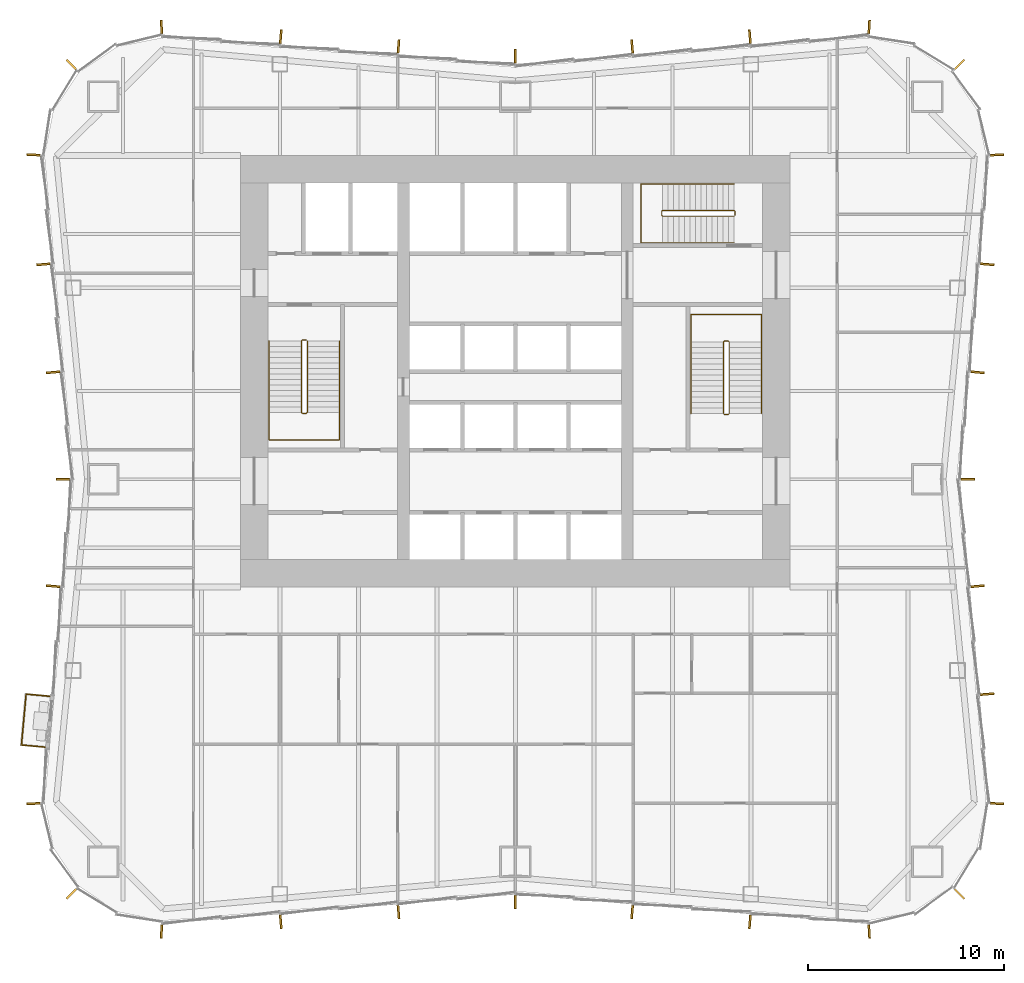
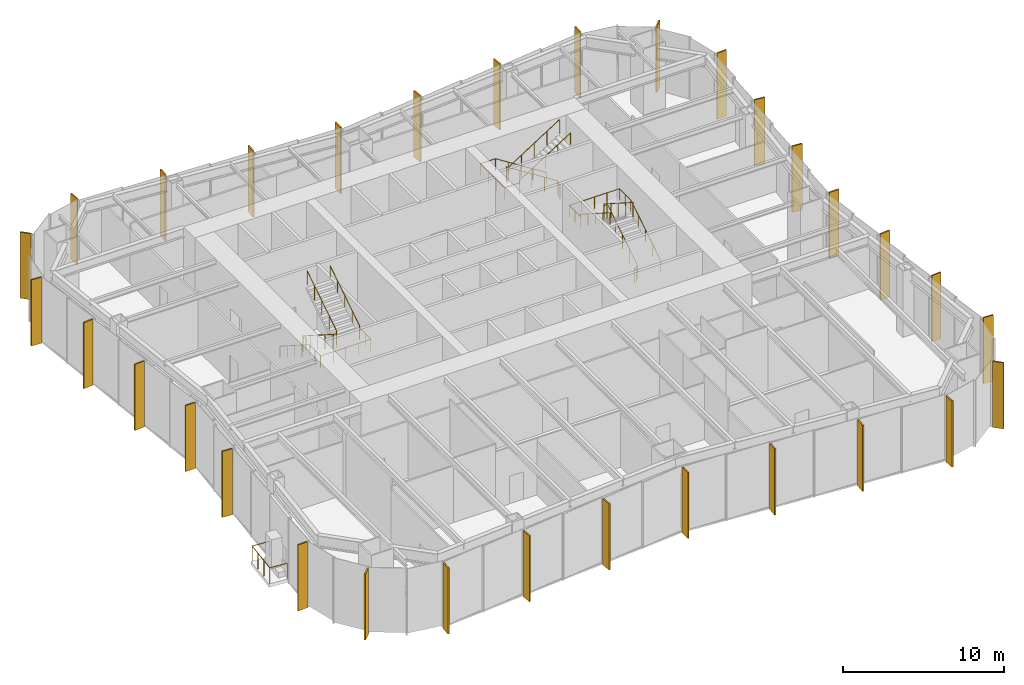
# One storey, part 13 of 14: 31 shading devices, 7 railings.
"""IFC4 building model written with IfcOpenShell, lengths in metres."""

from ifc_helpers import new_model, si_unit, direction, frame, origin, origin_2d, place, context, subcontext, project, spatial, rectangle, circle, extrude, material, layer, layer_set, type_object, element, save


model = new_model("IFC4")

# Units and contexts
model_context = context("Model", 3, precision=1e-05, world=origin(), true_north=direction((0.0, 1.0)))
body_context = subcontext(model_context, "Body", "Model", "MODEL_VIEW")
ifc_project = project(units=[si_unit("LENGTHUNIT", "METRE"), si_unit("AREAUNIT", "SQUARE_METRE"), si_unit("VOLUMEUNIT", "CUBIC_METRE"), si_unit("PLANEANGLEUNIT", "RADIAN"), si_unit("MASSUNIT", "GRAM", prefix="KILO")], contexts=[model_context])

# Site, building, storey
site_placement = place(None, origin())
site = spatial("IfcSite", under=ifc_project, at=site_placement, CompositionType="ELEMENT")
building_placement = place(site_placement, origin())
building = spatial("IfcBuilding", under=site, at=building_placement, Name="Verdant Reach Tower", CompositionType="ELEMENT")
storey_placement = place(building_placement, frame((0.0, 0.0, 9.0)))
storey = spatial("IfcBuildingStorey", under=building, at=storey_placement, Name="L01", CompositionType="ELEMENT", Elevation=9.0)

# Railings
ifc_material_1 = material(Name="Stainless steel", Category="steel")
railing_type_1 = type_object("IfcRailingType", Name="CO-GUARD", PredefinedType="GUARDRAIL", material=ifc_material_1)
railing_1_placement = place(storey_placement, frame((-10.64990234375, 29.60009765625, 0.0)))
element("IfcRailing", 1, at=railing_1_placement, inside=storey, type_object=railing_type_1, Name="L01 ST-1 stair guard 1", PredefinedType="GUARDRAIL", context=body_context, shape_type="SweptSolid", body=[
    extrude(circle(Radius=0.02392578125, at=origin_2d()), frame((0.0, 0.0, 1.076171875), z_axis=(-1.0, 0.0, 0.0), x_axis=(0.0, -1.0, 0.0)), (0.0, 0.0, 1.0), 0.2001953125),
    extrude(circle(Radius=0.02392578125, at=origin_2d()), frame((-0.2001953125, 0.0, 1.076171875), z_axis=(-0.25949872427, -0.26077077684, 0.929870428634), x_axis=(0.708833529934, -0.705375805398, 0.0)), (0.0, 0.0, 1.0), 0.19189453125),
    extrude(circle(Radius=0.02392578125, at=origin_2d()), frame((-0.25, -0.050048828125, 1.25439453125), z_axis=(0.0, -0.843127859045, 0.537713132908), x_axis=(1.0, 0.0, 0.0)), (0.0, 0.0, 1.0), 4.3173828125),
    extrude(circle(Radius=0.02392578125, at=origin_2d()), frame((-0.25, -3.690185546875, 3.576171875), z_axis=(0.707106781187, -0.707106781187, 0.0), x_axis=(0.707106781187, 0.707106781187, 0.0)), (0.0, 0.0, 1.0), 0.0703125),
    extrude(circle(Radius=0.02392578125, at=origin_2d()), frame((-0.2001953125, -3.739990234375, 3.576171875), z_axis=(1.0, 0.0, 0.0), x_axis=(0.0, 1.0, 0.0)), (0.0, 0.0, 1.0), 0.2001953125),
    extrude(circle(Radius=0.02392578125, at=origin_2d()), frame((0.0, -3.739990234375, 3.576171875), z_axis=(0.259584636361, 0.259584636361, 0.930178280294), x_axis=(-0.707106781187, 0.707106781187, 0.0)), (0.0, 0.0, 1.0), 0.19189453125),
    extrude(circle(Radius=0.02392578125, at=origin_2d()), frame((0.0498046875, -3.690185546875, 3.75439453125), z_axis=(0.0, 0.843127859045, 0.537713132908), x_axis=(-1.0, 0.0, 0.0)), (0.0, 0.0, 1.0), 4.3173828125),
    extrude(circle(Radius=0.02099609375, at=origin_2d()), origin(), (0.0, 0.0, 1.0), 1.052001953125),
    extrude(circle(Radius=0.02099609375, at=origin_2d()), frame((-0.2001953125, 0.0, 0.0)), (0.0, 0.0, 1.0), 1.052001953125),
    extrude(circle(Radius=0.02099609375, at=origin_2d()), frame((-0.25, -0.050048828125, 0.178466796875)), (0.0, 0.0, 1.0), 1.052001953125),
    extrude(circle(Radius=0.02099609375, at=origin_2d()), frame((-0.25, -0.9599609375, 0.7587890625)), (0.0, 0.0, 1.0), 1.052001953125),
    extrude(circle(Radius=0.02099609375, at=origin_2d()), frame((-0.25, -1.8701171875, 1.33935546875)), (0.0, 0.0, 1.0), 1.052001953125),
    extrude(circle(Radius=0.02099609375, at=origin_2d()), frame((-0.25, -2.7802734375, 1.919677734375)), (0.0, 0.0, 1.0), 1.052001953125),
    extrude(circle(Radius=0.02099609375, at=origin_2d()), frame((-0.25, -3.690185546875, 2.5)), (0.0, 0.0, 1.0), 1.052001953125),
    extrude(circle(Radius=0.02099609375, at=origin_2d()), frame((-0.2001953125, -3.739990234375, 2.5)), (0.0, 0.0, 1.0), 1.052001953125),
    extrude(circle(Radius=0.02099609375, at=origin_2d()), frame((0.0, -3.739990234375, 2.5)), (0.0, 0.0, 1.0), 1.052001953125),
    extrude(circle(Radius=0.02099609375, at=origin_2d()), frame((0.0498046875, -3.690185546875, 2.678466796875)), (0.0, 0.0, 1.0), 1.052001953125),
    extrude(circle(Radius=0.02099609375, at=origin_2d()), frame((0.0498046875, -2.7802734375, 3.2587890625)), (0.0, 0.0, 1.0), 1.052001953125),
    extrude(circle(Radius=0.02099609375, at=origin_2d()), frame((0.0498046875, -1.8701171875, 3.83935546875)), (0.0, 0.0, 1.0), 1.052001953125),
    extrude(circle(Radius=0.02099609375, at=origin_2d()), frame((0.0498046875, -0.9599609375, 4.419677734375)), (0.0, 0.0, 1.0), 1.052001953125),
    extrude(circle(Radius=0.02099609375, at=origin_2d()), frame((0.0498046875, -0.050048828125, 5.0)), (0.0, 0.0, 1.0), 1.052001953125),
])
railing_2_placement = place(storey_placement, frame((10.64990234375, 25.800048828125, 0.0)))
element("IfcRailing", 2, at=railing_2_placement, inside=storey, type_object=railing_type_1, Name="L01 ST-2 stair guard 1", PredefinedType="GUARDRAIL", context=body_context, shape_type="SweptSolid", body=[
    extrude(circle(Radius=0.02392578125, at=origin_2d()), frame((0.0, 0.0, 1.076171875), z_axis=(1.0, 0.0, 0.0), x_axis=(0.0, 1.0, 0.0)), (0.0, 0.0, 1.0), 0.2001953125),
    extrude(circle(Radius=0.02392578125, at=origin_2d()), frame((0.2001953125, 0.0, 1.076171875), z_axis=(0.25949872427, 0.26077077684, 0.929870428634), x_axis=(-0.708833529934, 0.705375805398, 0.0)), (0.0, 0.0, 1.0), 0.19189453125),
    extrude(circle(Radius=0.02392578125, at=origin_2d()), frame((0.25, 0.050048828125, 1.25439453125), z_axis=(0.0, 0.843111507901, 0.53773877045), x_axis=(-1.0, 0.0, 0.0)), (0.0, 0.0, 1.0), 4.317138671875),
    extrude(circle(Radius=0.02392578125, at=origin_2d()), frame((0.25, 3.68994140625, 3.576171875), z_axis=(-0.705375805398, 0.708833529934, 0.0), x_axis=(-0.708833529934, -0.705375805398, 0.0)), (0.0, 0.0, 1.0), 0.070556640625),
    extrude(circle(Radius=0.02392578125, at=origin_2d()), frame((0.2001953125, 3.739990234375, 3.576171875), z_axis=(-1.0, 0.0, 0.0), x_axis=(0.0, -1.0, 0.0)), (0.0, 0.0, 1.0), 0.2001953125),
    extrude(circle(Radius=0.02392578125, at=origin_2d()), frame((0.0, 3.739990234375, 3.576171875), z_axis=(-0.25949872427, -0.26077077684, 0.929870428634), x_axis=(0.708833529934, -0.705375805398, 0.0)), (0.0, 0.0, 1.0), 0.19189453125),
    extrude(circle(Radius=0.02392578125, at=origin_2d()), frame((-0.0498046875, 3.68994140625, 3.75439453125), z_axis=(0.0, -0.843111507901, 0.53773877045), x_axis=(1.0, 0.0, 0.0)), (0.0, 0.0, 1.0), 4.317138671875),
    extrude(circle(Radius=0.02099609375, at=origin_2d()), origin(), (0.0, 0.0, 1.0), 1.052001953125),
    extrude(circle(Radius=0.02099609375, at=origin_2d()), frame((0.2001953125, 0.0, 0.0)), (0.0, 0.0, 1.0), 1.052001953125),
    extrude(circle(Radius=0.02099609375, at=origin_2d()), frame((0.25, 0.050048828125, 0.178466796875)), (0.0, 0.0, 1.0), 1.052001953125),
    extrude(circle(Radius=0.02099609375, at=origin_2d()), frame((0.25, 0.9599609375, 0.7587890625)), (0.0, 0.0, 1.0), 1.052001953125),
    extrude(circle(Radius=0.02099609375, at=origin_2d()), frame((0.25, 1.8701171875, 1.33935546875)), (0.0, 0.0, 1.0), 1.052001953125),
    extrude(circle(Radius=0.02099609375, at=origin_2d()), frame((0.25, 2.780029296875, 1.919677734375)), (0.0, 0.0, 1.0), 1.052001953125),
    extrude(circle(Radius=0.02099609375, at=origin_2d()), frame((0.25, 3.68994140625, 2.5)), (0.0, 0.0, 1.0), 1.052001953125),
    extrude(circle(Radius=0.02099609375, at=origin_2d()), frame((0.2001953125, 3.739990234375, 2.5)), (0.0, 0.0, 1.0), 1.052001953125),
    extrude(circle(Radius=0.02099609375, at=origin_2d()), frame((0.0, 3.739990234375, 2.5)), (0.0, 0.0, 1.0), 1.052001953125),
    extrude(circle(Radius=0.02099609375, at=origin_2d()), frame((-0.0498046875, 3.68994140625, 2.678466796875)), (0.0, 0.0, 1.0), 1.052001953125),
    extrude(circle(Radius=0.02099609375, at=origin_2d()), frame((-0.0498046875, 2.780029296875, 3.2587890625)), (0.0, 0.0, 1.0), 1.052001953125),
    extrude(circle(Radius=0.02099609375, at=origin_2d()), frame((-0.0498046875, 1.8701171875, 3.83935546875)), (0.0, 0.0, 1.0), 1.052001953125),
    extrude(circle(Radius=0.02099609375, at=origin_2d()), frame((-0.0498046875, 0.9599609375, 4.419677734375)), (0.0, 0.0, 1.0), 1.052001953125),
    extrude(circle(Radius=0.02099609375, at=origin_2d()), frame((-0.0498046875, 0.050048828125, 5.0)), (0.0, 0.0, 1.0), 1.052001953125),
])
railing_3_placement = place(storey_placement, frame((11.199951171875, 35.949951171875, 0.0)))
element("IfcRailing", 3, at=railing_3_placement, inside=storey, type_object=railing_type_1, Name="L01 ST-3 stair guard 1", PredefinedType="GUARDRAIL", context=body_context, shape_type="SweptSolid", body=[
    extrude(circle(Radius=0.02392578125, at=origin_2d()), frame((0.0, 0.0, 1.076171875), z_axis=(0.0, 1.0, 0.0), x_axis=(-1.0, 0.0, 0.0)), (0.0, 0.0, 1.0), 0.199951171875),
    extrude(circle(Radius=0.02392578125, at=origin_2d()), frame((0.0, 0.199951171875, 1.076171875), z_axis=(-0.260684529273, 0.260684529273, 0.929562882432), x_axis=(-0.707106781187, -0.707106781187, 0.0)), (0.0, 0.0, 1.0), 0.19189453125),
    extrude(circle(Radius=0.02392578125, at=origin_2d()), frame((-0.050048828125, 0.25, 1.25439453125), z_axis=(-0.843111507901, 0.0, 0.53773877045), x_axis=(0.0, -1.0, 0.0)), (0.0, 0.0, 1.0), 4.317138671875),
    extrude(circle(Radius=0.02392578125, at=origin_2d()), frame((-3.68994140625, 0.25, 3.576171875), z_axis=(-0.707106781187, -0.707106781187, 0.0), x_axis=(0.707106781187, -0.707106781187, 0.0)), (0.0, 0.0, 1.0), 0.07080078125),
    extrude(circle(Radius=0.02392578125, at=origin_2d()), frame((-3.739990234375, 0.199951171875, 3.576171875), z_axis=(0.0, -1.0, 0.0), x_axis=(1.0, 0.0, 0.0)), (0.0, 0.0, 1.0), 0.199951171875),
    extrude(circle(Radius=0.02392578125, at=origin_2d()), frame((-3.739990234375, 0.0, 3.576171875), z_axis=(0.260684529273, -0.260684529273, 0.929562882432), x_axis=(0.707106781187, 0.707106781187, 0.0)), (0.0, 0.0, 1.0), 0.19189453125),
    extrude(circle(Radius=0.02392578125, at=origin_2d()), frame((-3.68994140625, -0.050048828125, 3.75439453125), z_axis=(0.843111507901, 0.0, 0.53773877045), x_axis=(0.0, 1.0, 0.0)), (0.0, 0.0, 1.0), 4.317138671875),
    extrude(circle(Radius=0.02099609375, at=origin_2d()), origin(), (0.0, 0.0, 1.0), 1.052001953125),
    extrude(circle(Radius=0.02099609375, at=origin_2d()), frame((0.0, 0.199951171875, 0.0)), (0.0, 0.0, 1.0), 1.052001953125),
    extrude(circle(Radius=0.02099609375, at=origin_2d()), frame((-0.050048828125, 0.25, 0.178466796875)), (0.0, 0.0, 1.0), 1.052001953125),
    extrude(circle(Radius=0.02099609375, at=origin_2d()), frame((-0.9599609375, 0.25, 0.7587890625)), (0.0, 0.0, 1.0), 1.052001953125),
    extrude(circle(Radius=0.02099609375, at=origin_2d()), frame((-1.8701171875, 0.25, 1.33935546875)), (0.0, 0.0, 1.0), 1.052001953125),
    extrude(circle(Radius=0.02099609375, at=origin_2d()), frame((-2.780029296875, 0.25, 1.919677734375)), (0.0, 0.0, 1.0), 1.052001953125),
    extrude(circle(Radius=0.02099609375, at=origin_2d()), frame((-3.68994140625, 0.25, 2.5)), (0.0, 0.0, 1.0), 1.052001953125),
    extrude(circle(Radius=0.02099609375, at=origin_2d()), frame((-3.739990234375, 0.199951171875, 2.5)), (0.0, 0.0, 1.0), 1.052001953125),
    extrude(circle(Radius=0.02099609375, at=origin_2d()), frame((-3.739990234375, 0.0, 2.5)), (0.0, 0.0, 1.0), 1.052001953125),
    extrude(circle(Radius=0.02099609375, at=origin_2d()), frame((-3.68994140625, -0.050048828125, 2.678466796875)), (0.0, 0.0, 1.0), 1.052001953125),
    extrude(circle(Radius=0.02099609375, at=origin_2d()), frame((-2.780029296875, -0.050048828125, 3.2587890625)), (0.0, 0.0, 1.0), 1.052001953125),
    extrude(circle(Radius=0.02099609375, at=origin_2d()), frame((-1.8701171875, -0.050048828125, 3.83935546875)), (0.0, 0.0, 1.0), 1.052001953125),
    extrude(circle(Radius=0.02099609375, at=origin_2d()), frame((-0.9599609375, -0.050048828125, 4.419677734375)), (0.0, 0.0, 1.0), 1.052001953125),
    extrude(circle(Radius=0.02099609375, at=origin_2d()), frame((-0.050048828125, -0.050048828125, 5.0)), (0.0, 0.0, 1.0), 1.052001953125),
])
railing_type_2 = type_object("IfcRailingType", Name="CO-HANDRAIL", PredefinedType="HANDRAIL", material=ifc_material_1)
railing_4_placement = place(storey_placement, frame((-12.550048828125, 29.550048828125, 0.178466796875)))
element("IfcRailing", 4, at=railing_4_placement, inside=storey, type_object=railing_type_2, Name="L01 ST-1 stair handrail 1", PredefinedType="HANDRAIL", context=body_context, shape_type="SweptSolid", body=[
    extrude(circle(Radius=0.02392578125, at=origin_2d()), frame((0.0, 0.0, 0.8759765625), z_axis=(0.0, -0.843127859045, 0.537713132908), x_axis=(1.0, 0.0, 0.0)), (0.0, 0.0, 1.0), 4.3173828125),
    extrude(circle(Radius=0.02392578125, at=origin_2d()), frame((0.0, -3.64013671875, 3.197265625), z_axis=(0.0, -1.0, 0.0), x_axis=(1.0, 0.0, 0.0)), (0.0, 0.0, 1.0), 1.39990234375),
    extrude(circle(Radius=0.02392578125, at=origin_2d()), frame((0.0, -5.0400390625, 3.197265625), z_axis=(1.0, 0.0, 0.0), x_axis=(0.0, 1.0, 0.0)), (0.0, 0.0, 1.0), 3.60009765625),
    extrude(circle(Radius=0.02392578125, at=origin_2d()), frame((3.60009765625, -5.0400390625, 3.197265625), z_axis=(0.0, 1.0, 0.0), x_axis=(-1.0, 0.0, 0.0)), (0.0, 0.0, 1.0), 1.39990234375),
    extrude(circle(Radius=0.02392578125, at=origin_2d()), frame((3.60009765625, -3.64013671875, 3.197265625), z_axis=(0.0, 0.0, 1.0), x_axis=(1.0, 0.0, 0.0)), (0.0, 0.0, 1.0), 0.178466796875),
    extrude(circle(Radius=0.02392578125, at=origin_2d()), frame((3.60009765625, -3.64013671875, 3.3759765625), z_axis=(0.0, 0.843127859045, 0.537713132908), x_axis=(-1.0, 0.0, 0.0)), (0.0, 0.0, 1.0), 4.3173828125),
    extrude(circle(Radius=0.02099609375, at=origin_2d()), origin(), (0.0, 0.0, 1.0), 0.851806640625),
    extrude(circle(Radius=0.02099609375, at=origin_2d()), frame((0.0, -0.91015625, 0.580322265625)), (0.0, 0.0, 1.0), 0.851806640625),
    extrude(circle(Radius=0.02099609375, at=origin_2d()), frame((0.0, -1.820068359375, 1.16064453125)), (0.0, 0.0, 1.0), 0.851806640625),
    extrude(circle(Radius=0.02099609375, at=origin_2d()), frame((0.0, -2.72998046875, 1.7412109375)), (0.0, 0.0, 1.0), 0.851806640625),
    extrude(circle(Radius=0.02099609375, at=origin_2d()), frame((0.0, -3.64013671875, 2.321533203125)), (0.0, 0.0, 1.0), 0.851806640625),
    extrude(circle(Radius=0.02099609375, at=origin_2d()), frame((0.0, -4.340087890625, 2.321533203125)), (0.0, 0.0, 1.0), 0.851806640625),
    extrude(circle(Radius=0.02099609375, at=origin_2d()), frame((0.0, -5.0400390625, 2.321533203125)), (0.0, 0.0, 1.0), 0.851806640625),
    extrude(circle(Radius=0.02099609375, at=origin_2d()), frame((0.89990234375, -5.0400390625, 2.321533203125)), (0.0, 0.0, 1.0), 0.851806640625),
    extrude(circle(Radius=0.02099609375, at=origin_2d()), frame((1.800048828125, -5.0400390625, 2.321533203125)), (0.0, 0.0, 1.0), 0.851806640625),
    extrude(circle(Radius=0.02099609375, at=origin_2d()), frame((2.7001953125, -5.0400390625, 2.321533203125)), (0.0, 0.0, 1.0), 0.851806640625),
    extrude(circle(Radius=0.02099609375, at=origin_2d()), frame((3.60009765625, -5.0400390625, 2.321533203125)), (0.0, 0.0, 1.0), 0.851806640625),
    extrude(circle(Radius=0.02099609375, at=origin_2d()), frame((3.60009765625, -4.340087890625, 2.321533203125)), (0.0, 0.0, 1.0), 0.851806640625),
    extrude(circle(Radius=0.02099609375, at=origin_2d()), frame((3.60009765625, -3.64013671875, 2.321533203125)), (0.0, 0.0, 1.0), 0.851806640625),
    extrude(circle(Radius=0.02099609375, at=origin_2d()), frame((3.60009765625, -3.64013671875, 2.5)), (0.0, 0.0, 1.0), 0.851806640625),
    extrude(circle(Radius=0.02099609375, at=origin_2d()), frame((3.60009765625, -2.72998046875, 3.080322265625)), (0.0, 0.0, 1.0), 0.851806640625),
    extrude(circle(Radius=0.02099609375, at=origin_2d()), frame((3.60009765625, -1.820068359375, 3.66064453125)), (0.0, 0.0, 1.0), 0.851806640625),
    extrude(circle(Radius=0.02099609375, at=origin_2d()), frame((3.60009765625, -0.91015625, 4.2412109375)), (0.0, 0.0, 1.0), 0.851806640625),
    extrude(circle(Radius=0.02099609375, at=origin_2d()), frame((3.60009765625, 0.0, 4.821533203125)), (0.0, 0.0, 1.0), 0.851806640625),
])
railing_5_placement = place(storey_placement, frame((12.550048828125, 25.85009765625, 0.178466796875)))
element("IfcRailing", 5, at=railing_5_placement, inside=storey, type_object=railing_type_2, Name="L01 ST-2 stair handrail 1", PredefinedType="HANDRAIL", context=body_context, shape_type="SweptSolid", body=[
    extrude(circle(Radius=0.02392578125, at=origin_2d()), frame((0.0, 0.0, 0.8759765625), z_axis=(0.0, 0.843111507901, 0.53773877045), x_axis=(-1.0, 0.0, 0.0)), (0.0, 0.0, 1.0), 4.317138671875),
    extrude(circle(Radius=0.02392578125, at=origin_2d()), frame((0.0, 3.639892578125, 3.197265625), z_axis=(0.0, 1.0, 0.0), x_axis=(-1.0, 0.0, 0.0)), (0.0, 0.0, 1.0), 1.39990234375),
    extrude(circle(Radius=0.02392578125, at=origin_2d()), frame((0.0, 5.039794921875, 3.197265625), z_axis=(-1.0, 0.0, 0.0), x_axis=(0.0, -1.0, 0.0)), (0.0, 0.0, 1.0), 3.60009765625),
    extrude(circle(Radius=0.02392578125, at=origin_2d()), frame((-3.60009765625, 5.039794921875, 3.197265625), z_axis=(0.0, -1.0, 0.0), x_axis=(1.0, 0.0, 0.0)), (0.0, 0.0, 1.0), 1.39990234375),
    extrude(circle(Radius=0.02392578125, at=origin_2d()), frame((-3.60009765625, 3.639892578125, 3.197265625), z_axis=(0.0, 0.0, 1.0), x_axis=(1.0, 0.0, 0.0)), (0.0, 0.0, 1.0), 0.178466796875),
    extrude(circle(Radius=0.02392578125, at=origin_2d()), frame((-3.60009765625, 3.639892578125, 3.3759765625), z_axis=(0.0, -0.843111507901, 0.53773877045), x_axis=(1.0, 0.0, 0.0)), (0.0, 0.0, 1.0), 4.317138671875),
    extrude(circle(Radius=0.02099609375, at=origin_2d()), origin(), (0.0, 0.0, 1.0), 0.851806640625),
    extrude(circle(Radius=0.02099609375, at=origin_2d()), frame((0.0, 0.909912109375, 0.580322265625)), (0.0, 0.0, 1.0), 0.851806640625),
    extrude(circle(Radius=0.02099609375, at=origin_2d()), frame((0.0, 1.81982421875, 1.16064453125)), (0.0, 0.0, 1.0), 0.851806640625),
    extrude(circle(Radius=0.02099609375, at=origin_2d()), frame((0.0, 2.72998046875, 1.7412109375)), (0.0, 0.0, 1.0), 0.851806640625),
    extrude(circle(Radius=0.02099609375, at=origin_2d()), frame((0.0, 3.639892578125, 2.321533203125)), (0.0, 0.0, 1.0), 0.851806640625),
    extrude(circle(Radius=0.02099609375, at=origin_2d()), frame((0.0, 4.33984375, 2.321533203125)), (0.0, 0.0, 1.0), 0.851806640625),
    extrude(circle(Radius=0.02099609375, at=origin_2d()), frame((0.0, 5.039794921875, 2.321533203125)), (0.0, 0.0, 1.0), 0.851806640625),
    extrude(circle(Radius=0.02099609375, at=origin_2d()), frame((-0.89990234375, 5.039794921875, 2.321533203125)), (0.0, 0.0, 1.0), 0.851806640625),
    extrude(circle(Radius=0.02099609375, at=origin_2d()), frame((-1.800048828125, 5.039794921875, 2.321533203125)), (0.0, 0.0, 1.0), 0.851806640625),
    extrude(circle(Radius=0.02099609375, at=origin_2d()), frame((-2.7001953125, 5.039794921875, 2.321533203125)), (0.0, 0.0, 1.0), 0.851806640625),
    extrude(circle(Radius=0.02099609375, at=origin_2d()), frame((-3.60009765625, 5.039794921875, 2.321533203125)), (0.0, 0.0, 1.0), 0.851806640625),
    extrude(circle(Radius=0.02099609375, at=origin_2d()), frame((-3.60009765625, 4.33984375, 2.321533203125)), (0.0, 0.0, 1.0), 0.851806640625),
    extrude(circle(Radius=0.02099609375, at=origin_2d()), frame((-3.60009765625, 3.639892578125, 2.321533203125)), (0.0, 0.0, 1.0), 0.851806640625),
    extrude(circle(Radius=0.02099609375, at=origin_2d()), frame((-3.60009765625, 3.639892578125, 2.5)), (0.0, 0.0, 1.0), 0.851806640625),
    extrude(circle(Radius=0.02099609375, at=origin_2d()), frame((-3.60009765625, 2.72998046875, 3.080322265625)), (0.0, 0.0, 1.0), 0.851806640625),
    extrude(circle(Radius=0.02099609375, at=origin_2d()), frame((-3.60009765625, 1.81982421875, 3.66064453125)), (0.0, 0.0, 1.0), 0.851806640625),
    extrude(circle(Radius=0.02099609375, at=origin_2d()), frame((-3.60009765625, 0.909912109375, 4.2412109375)), (0.0, 0.0, 1.0), 0.851806640625),
    extrude(circle(Radius=0.02099609375, at=origin_2d()), frame((-3.60009765625, 0.0, 4.821533203125)), (0.0, 0.0, 1.0), 0.851806640625),
])
railing_6_placement = place(storey_placement, frame((11.14990234375, 37.550048828125, 0.178466796875)))
element("IfcRailing", 6, at=railing_6_placement, inside=storey, type_object=railing_type_2, Name="L01 ST-3 stair handrail 1", PredefinedType="HANDRAIL", context=body_context, shape_type="SweptSolid", body=[
    extrude(circle(Radius=0.02392578125, at=origin_2d()), frame((0.0, 0.0, 0.8759765625), z_axis=(-0.843111507901, 0.0, 0.53773877045), x_axis=(0.0, -1.0, 0.0)), (0.0, 0.0, 1.0), 4.317138671875),
    extrude(circle(Radius=0.02392578125, at=origin_2d()), frame((-3.639892578125, 0.0, 3.197265625), z_axis=(-1.0, 0.0, 0.0), x_axis=(0.0, -1.0, 0.0)), (0.0, 0.0, 1.0), 1.10009765625),
    extrude(circle(Radius=0.02392578125, at=origin_2d()), frame((-4.739990234375, 0.0, 3.197265625), z_axis=(0.0, -1.0, 0.0), x_axis=(1.0, 0.0, 0.0)), (0.0, 0.0, 1.0), 3.0),
    extrude(circle(Radius=0.02392578125, at=origin_2d()), frame((-4.739990234375, -3.0, 3.197265625), z_axis=(1.0, 0.0, 0.0), x_axis=(0.0, 1.0, 0.0)), (0.0, 0.0, 1.0), 1.10009765625),
    extrude(circle(Radius=0.02392578125, at=origin_2d()), frame((-3.639892578125, -3.0, 3.197265625), z_axis=(0.0, 0.0, 1.0), x_axis=(1.0, 0.0, 0.0)), (0.0, 0.0, 1.0), 0.178466796875),
    extrude(circle(Radius=0.02392578125, at=origin_2d()), frame((-3.639892578125, -3.0, 3.3759765625), z_axis=(0.843111507901, 0.0, 0.53773877045), x_axis=(0.0, 1.0, 0.0)), (0.0, 0.0, 1.0), 4.317138671875),
    extrude(circle(Radius=0.02099609375, at=origin_2d()), origin(), (0.0, 0.0, 1.0), 0.851806640625),
    extrude(circle(Radius=0.02099609375, at=origin_2d()), frame((-0.909912109375, 0.0, 0.580322265625)), (0.0, 0.0, 1.0), 0.851806640625),
    extrude(circle(Radius=0.02099609375, at=origin_2d()), frame((-1.81982421875, 0.0, 1.16064453125)), (0.0, 0.0, 1.0), 0.851806640625),
    extrude(circle(Radius=0.02099609375, at=origin_2d()), frame((-2.72998046875, 0.0, 1.7412109375)), (0.0, 0.0, 1.0), 0.851806640625),
    extrude(circle(Radius=0.02099609375, at=origin_2d()), frame((-3.639892578125, 0.0, 2.321533203125)), (0.0, 0.0, 1.0), 0.851806640625),
    extrude(circle(Radius=0.02099609375, at=origin_2d()), frame((-4.739990234375, 0.0, 2.321533203125)), (0.0, 0.0, 1.0), 0.851806640625),
    extrude(circle(Radius=0.02099609375, at=origin_2d()), frame((-4.739990234375, -1.0, 2.321533203125)), (0.0, 0.0, 1.0), 0.851806640625),
    extrude(circle(Radius=0.02099609375, at=origin_2d()), frame((-4.739990234375, -2.0, 2.321533203125)), (0.0, 0.0, 1.0), 0.851806640625),
    extrude(circle(Radius=0.02099609375, at=origin_2d()), frame((-4.739990234375, -3.0, 2.321533203125)), (0.0, 0.0, 1.0), 0.851806640625),
    extrude(circle(Radius=0.02099609375, at=origin_2d()), frame((-3.639892578125, -3.0, 2.321533203125)), (0.0, 0.0, 1.0), 0.851806640625),
    extrude(circle(Radius=0.02099609375, at=origin_2d()), frame((-3.639892578125, -3.0, 2.5)), (0.0, 0.0, 1.0), 0.851806640625),
    extrude(circle(Radius=0.02099609375, at=origin_2d()), frame((-2.72998046875, -3.0, 3.080322265625)), (0.0, 0.0, 1.0), 0.851806640625),
    extrude(circle(Radius=0.02099609375, at=origin_2d()), frame((-1.81982421875, -3.0, 3.66064453125)), (0.0, 0.0, 1.0), 0.851806640625),
    extrude(circle(Radius=0.02099609375, at=origin_2d()), frame((-0.909912109375, -3.0, 4.2412109375)), (0.0, 0.0, 1.0), 0.851806640625),
    extrude(circle(Radius=0.02099609375, at=origin_2d()), frame((0.0, -3.0, 4.821533203125)), (0.0, 0.0, 1.0), 0.851806640625),
])

# Shading devices
ifc_material_2 = material(Name="Bronze fin, champagne", Category="aluminium")
ifc_layer_1 = layer(ifc_material_2, 0.10009765625)
ifc_layer_set_1 = layer_set([ifc_layer_1], Name="EN-FIN CHAMPAGNE")
shading_device_type_1 = type_object("IfcShadingDeviceType", Name="EN-FIN CHAMPAGNE", PredefinedType="USERDEFINED", material=ifc_layer_set_1)
for number, where, z_axis, x_axis, name in (
    (7, (24.0478515625, 11.5498046875, -0.35009765625), (0.0, 0.0, 1.0), (-0.090535746047, 0.995893206467, 0.0), "Fin east face part 1 3, L01"),
    (8, (23.5478515625, 27.9501953125, -0.35009765625), (0.0, 0.0, 1.0), (0.090535746047, 0.995893206467, 0.0), "Fin east face part 2 3, L01"),
    (9, (24.0478515625, 33.4501953125, -0.35009765625), (0.0, 0.0, 1.0), (0.090535746047, 0.995893206467, 0.0), "Fin east face part 2 5, L01"),
    (10, (22.631591796875, 43.631591796875, -0.35009765625), (0.0, 0.0, 1.0), (-0.707106781187, 0.707106781187, 0.0), "Fin north-east corner 3, L01"),
    (11, (18.031005859375, 45.549072265625, -0.35009765625), (0.0, 0.0, 1.0), (-0.998398681387, 0.056569187765, 0.0), "Fin north face part 1 1, L01"),
    (12, (-5.954345703125, 44.548095703125, -0.35009765625), (0.0, 0.0, 1.0), (-0.996545758244, 0.083045479859, 0.0), "Fin north face part 2 3, L01"),
    (13, (-18.031005859375, 45.549072265625, -0.35009765625), (0.0, 0.0, 1.0), (-0.998398681387, -0.056569187765, 0.0), "Fin north-west corner 1, L01"),
    (14, (-23.050048828125, 22.5, -0.35009765625), (0.0, 0.0, 1.0), (0.0, -1.0, 0.0), "Fin west face part 2 1, L01"),
    (15, (-5.954345703125, 0.451904296875, -0.35009765625), (0.0, 0.0, 1.0), (0.996545758244, 0.083045479859, 0.0), "Fin south face part 1 5, L01"),
    (16, (11.954345703125, -0.048095703125, -0.35009765625), (0.0, 0.0, 1.0), (0.996545758244, -0.083045479859, 0.0), "Fin south face part 2 5, L01"),
):
    element("IfcShadingDevice", number, at=place(storey_placement, frame(where, z_axis=z_axis, x_axis=x_axis)), inside=storey, type_object=shading_device_type_1, Name=name, ObjectType="FIN", PredefinedType="USERDEFINED", context=body_context, shape_type="SweptSolid", body=[
        extrude(rectangle(XDim=0.10009765625, YDim=0.699951171875, at=origin_2d()), origin(), (0.0, 0.0, 1.0), 5.0),
    ])
ifc_material_3 = material(Name="Bronze fin, copper", Category="aluminium")
ifc_layer_2 = layer(ifc_material_3, 0.10009765625)
ifc_layer_set_2 = layer_set([ifc_layer_2], Name="EN-FIN COPPER")
shading_device_type_2 = type_object("IfcShadingDeviceType", Name="EN-FIN COPPER", PredefinedType="USERDEFINED", material=ifc_layer_set_2)
for number, where, z_axis, x_axis, name in (
    (17, (23.5478515625, 17.0498046875, -0.35009765625), (0.0, 0.0, 1.0), (-0.090535746047, 0.995893206467, 0.0), "Fin east face part 1 5, L01"),
    (18, (11.954345703125, 45.048095703125, -0.35009765625), (0.0, 0.0, 1.0), (-0.996545758244, -0.083045479859, 0.0), "Fin north face part 1 3, L01"),
    (19, (-11.954345703125, 45.048095703125, -0.35009765625), (0.0, 0.0, 1.0), (-0.996545758244, 0.083045479859, 0.0), "Fin north face part 2 5, L01"),
    (20, (-22.631591796875, 43.631591796875, -0.35009765625), (0.0, 0.0, 1.0), (-0.707106781187, -0.707106781187, 0.0), "Fin north-west corner 3, L01"),
    (21, (-24.54931640625, 39.029052734375, -0.35009765625), (0.0, 0.0, 1.0), (-0.052815489107, -0.998604288049, 0.0), "Fin west face part 1 1, L01"),
    (22, (-23.5478515625, 17.0498046875, -0.35009765625), (0.0, 0.0, 1.0), (-0.090535746047, -0.995893206467, 0.0), "Fin west face part 2 3, L01"),
    (23, (-24.54931640625, 5.970947265625, -0.35009765625), (0.0, 0.0, 1.0), (0.052815489107, -0.998604288049, 0.0), "Fin south-west corner 1, L01"),
    (24, (0.0, 0.949951171875, -0.35009765625), (0.0, 0.0, 1.0), (1.0, 0.0, 0.0), "Fin south face part 2 1, L01"),
):
    element("IfcShadingDevice", number, at=place(storey_placement, frame(where, z_axis=z_axis, x_axis=x_axis)), inside=storey, type_object=shading_device_type_2, Name=name, ObjectType="FIN", PredefinedType="USERDEFINED", context=body_context, shape_type="SweptSolid", body=[
        extrude(rectangle(XDim=0.10009765625, YDim=0.699951171875, at=origin_2d()), origin(), (0.0, 0.0, 1.0), 5.0),
    ])
ifc_material_4 = material(Name="Bronze fin, dark bronze", Category="aluminium")
ifc_layer_3 = layer(ifc_material_4, 0.10009765625)
ifc_layer_set_3 = layer_set([ifc_layer_3], Name="EN-FIN DARK")
shading_device_type_3 = type_object("IfcShadingDeviceType", Name="EN-FIN DARK", PredefinedType="USERDEFINED", material=ifc_layer_set_3)
for number, where, z_axis, x_axis, name in (
    (25, (18.031005859375, -0.549072265625, -0.35009765625), (0.0, 0.0, 1.0), (0.998398681387, 0.056569187765, 0.0), "Fin south-east corner 1, L01"),
    (26, (22.631591796875, 1.368408203125, -0.35009765625), (0.0, 0.0, 1.0), (0.707106781187, 0.707106781187, 0.0), "Fin south-east corner 3, L01"),
    (27, (24.54931640625, 5.970947265625, -0.35009765625), (0.0, 0.0, 1.0), (0.052815489107, 0.998604288049, 0.0), "Fin east face part 1 1, L01"),
    (28, (23.050048828125, 22.5, -0.35009765625), (0.0, 0.0, 1.0), (0.0, 1.0, 0.0), "Fin east face part 2 1, L01"),
    (29, (24.54931640625, 39.029052734375, -0.35009765625), (0.0, 0.0, 1.0), (-0.052815489107, 0.998604288049, 0.0), "Fin north-east corner 1, L01"),
    (30, (5.954345703125, 44.548095703125, -0.35009765625), (0.0, 0.0, 1.0), (-0.996545758244, -0.083045479859, 0.0), "Fin north face part 1 5, L01"),
    (31, (0.0, 44.050048828125, -0.35009765625), (0.0, 0.0, 1.0), (-1.0, 0.0, 0.0), "Fin north face part 2 1, L01"),
    (32, (-24.0478515625, 33.4501953125, -0.35009765625), (0.0, 0.0, 1.0), (0.090535746047, -0.995893206467, 0.0), "Fin west face part 1 3, L01"),
    (33, (-23.5478515625, 27.9501953125, -0.35009765625), (0.0, 0.0, 1.0), (0.090535746047, -0.995893206467, 0.0), "Fin west face part 1 5, L01"),
    (34, (-22.631591796875, 1.368408203125, -0.35009765625), (0.0, 0.0, 1.0), (0.707106781187, -0.707106781187, 0.0), "Fin south-west corner 3, L01"),
    (35, (-18.031005859375, -0.549072265625, -0.35009765625), (0.0, 0.0, 1.0), (0.998398681387, -0.056569187765, 0.0), "Fin south face part 1 1, L01"),
    (36, (-11.954345703125, -0.048095703125, -0.35009765625), (0.0, 0.0, 1.0), (0.996545758244, 0.083045479859, 0.0), "Fin south face part 1 3, L01"),
    (37, (5.954345703125, 0.451904296875, -0.35009765625), (0.0, 0.0, 1.0), (0.996545758244, -0.083045479859, 0.0), "Fin south face part 2 3, L01"),
):
    element("IfcShadingDevice", number, at=place(storey_placement, frame(where, z_axis=z_axis, x_axis=x_axis)), inside=storey, type_object=shading_device_type_3, Name=name, ObjectType="FIN", PredefinedType="USERDEFINED", context=body_context, shape_type="SweptSolid", body=[
        extrude(rectangle(XDim=0.10009765625, YDim=0.699951171875, at=origin_2d()), origin(), (0.0, 0.0, 1.0), 5.0),
    ])

# Railing
ifc_material_5 = material(Name="Stainless steel and laminated glass balustrade", Category="steel")
railing_type_3 = type_object("IfcRailingType", Name="EN-RAILING BALCONY", PredefinedType="GUARDRAIL", material=ifc_material_5)
railing_7_placement = place(storey_placement, frame((-23.736328125, 11.441162109375, 0.0)))
element("IfcRailing", 38, at=railing_7_placement, inside=storey, type_object=railing_type_3, Name="Balcony guard 1, L01", PredefinedType="GUARDRAIL", context=body_context, shape_type="SweptSolid", body=[
    extrude(circle(Radius=0.02490234375, at=origin_2d()), frame((0.0, 0.0, 1.1748046875), z_axis=(-0.995893206468, 0.090535746043, 0.0), x_axis=(-0.090535746043, -0.995893206468, 0.0)), (0.0, 0.0, 1.0), 1.199951171875),
    extrude(circle(Radius=0.02490234375, at=origin_2d()), frame((-1.195068359375, 0.108642578125, 1.1748046875), z_axis=(-0.090569595155, -0.995890128696, 0.0), x_axis=(0.995890128696, -0.090569595155, 0.0)), (0.0, 0.0, 1.0), 2.601318359375),
    extrude(circle(Radius=0.02490234375, at=origin_2d()), frame((-1.4306640625, -2.48193359375, 1.1748046875), z_axis=(0.995893206468, -0.090535746043, 0.0), x_axis=(0.090535746043, 0.995893206468, 0.0)), (0.0, 0.0, 1.0), 1.199951171875),
    extrude(circle(Radius=0.02490234375, at=origin_2d()), origin(), (0.0, 0.0, 1.0), 1.14990234375),
    extrude(circle(Radius=0.02490234375, at=origin_2d()), frame((-1.195068359375, 0.108642578125, 0.0)), (0.0, 0.0, 1.0), 1.14990234375),
    extrude(circle(Radius=0.02490234375, at=origin_2d()), frame((-1.273681640625, -0.7548828125, 0.0)), (0.0, 0.0, 1.0), 1.14990234375),
    extrude(circle(Radius=0.02490234375, at=origin_2d()), frame((-1.35205078125, -1.618408203125, 0.0)), (0.0, 0.0, 1.0), 1.14990234375),
    extrude(circle(Radius=0.02490234375, at=origin_2d()), frame((-1.4306640625, -2.48193359375, 0.0)), (0.0, 0.0, 1.0), 1.14990234375),
    extrude(circle(Radius=0.02490234375, at=origin_2d()), frame((-0.235595703125, -2.590576171875, 0.0)), (0.0, 0.0, 1.0), 1.14990234375),
])

save(model, "model.ifc")
